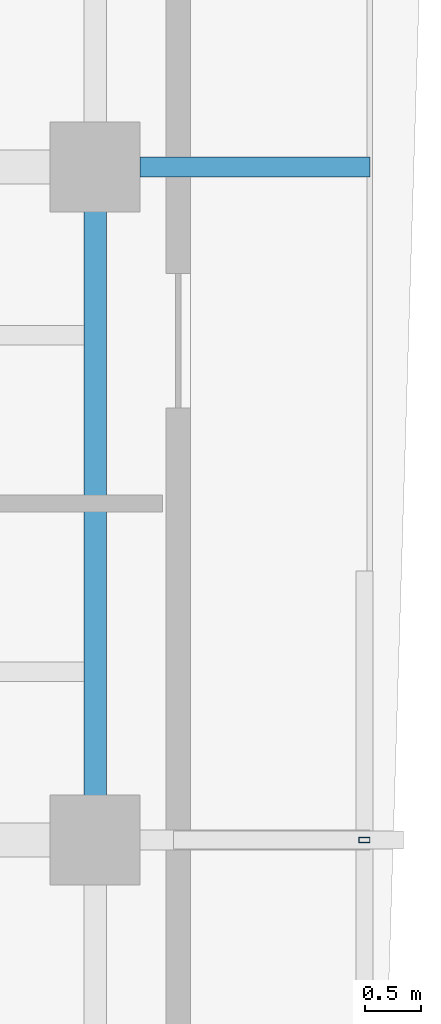
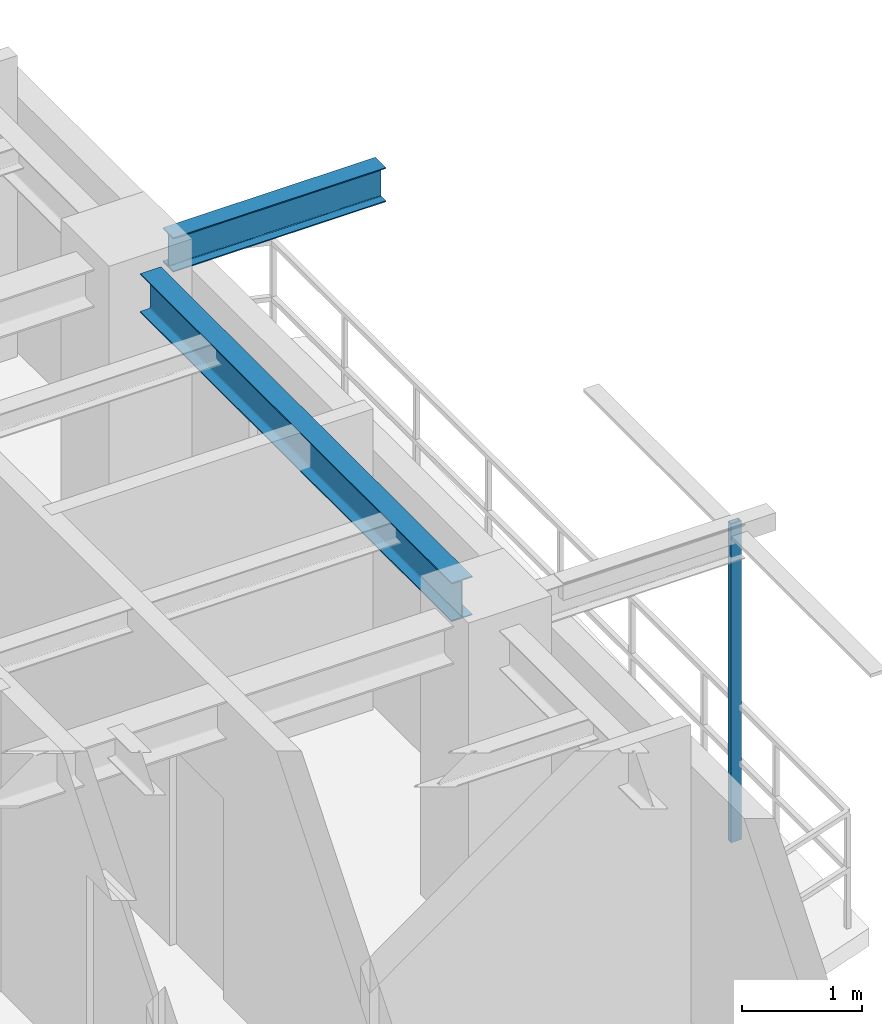
# One storey, part 7 of 16: 2 beams, 1 member.
"""IFC4 building model written with IfcOpenShell, lengths in metres."""

from ifc_helpers import new_model, si_unit, direction, frame, origin, origin_2d, place, context, subcontext, project, spatial, hollow_rectangle, i_section, extrude, source, transform, mapped, material, material_profile, profile_set, type_object, element, save


model = new_model("IFC4")

# Units and contexts
model_context = context("Model", 3, precision=1e-05, world=origin(), true_north=direction((0.0, 1.0)))
body_context = subcontext(model_context, "Body", "Model", "MODEL_VIEW")
ifc_project = project(units=[si_unit("LENGTHUNIT", "METRE"), si_unit("AREAUNIT", "SQUARE_METRE"), si_unit("VOLUMEUNIT", "CUBIC_METRE"), si_unit("PLANEANGLEUNIT", "RADIAN"), si_unit("MASSUNIT", "GRAM", prefix="KILO"), si_unit("THERMODYNAMICTEMPERATUREUNIT", "KELVIN"), si_unit("POWERUNIT", "WATT")], contexts=[model_context])

# Site, building, storey
site_placement = place(None, origin())
site = spatial("IfcSite", under=ifc_project, at=site_placement, CompositionType="ELEMENT")
building_placement = place(site_placement, origin())
building = spatial("IfcBuilding", under=site, at=building_placement, Name="Qiaomeng Ring Towers", CompositionType="ELEMENT")
storey_placement = place(building_placement, frame((0.0, 0.0, 210.0)))
storey = spatial("IfcBuildingStorey", under=building, at=storey_placement, Name="L61", CompositionType="ELEMENT", Elevation=210.0)

# Beams
ifc_material_1 = material(Name="Steel Q355B", Category="steel")
ifc_material_profile_1 = material_profile(ifc_material_1, i_section(OverallWidth=0.198974609375, OverallDepth=0.39599609375, WebThickness=0.007080078125, FlangeThickness=0.010986328125, FilletRadius=0.01611328125, at=origin_2d()), Name="HN 396x199x7x11")
ifc_profile_set_1 = profile_set([ifc_material_profile_1], Name="Steel Q355B")
beam_type_1 = type_object("IfcBeamType", Name="STR-BM-HN396", PredefinedType="SPANDREL", material=ifc_profile_set_1)
shared_shape_1 = source(origin(), body_context, "Body", "SweptSolid", [
    extrude(i_section(OverallWidth=0.198974609375, OverallDepth=0.39599609375, WebThickness=0.007080078125, FlangeThickness=0.010986328125, FilletRadius=0.01611328125, at=origin_2d()), origin(), (0.0, 0.0, 1.0), 5.2021484375),
])
beam_1_placement = place(storey_placement, frame((34.949951171875, 20.39892578125, 2.8720703125), z_axis=(0.0, 1.0, 0.0), x_axis=(-1.0, 0.0, 0.0)))
element("IfcBeam", 1, at=beam_1_placement, inside=storey, type_object=beam_type_1, Name="L61 beam STR-SP-L61-T1-E2-E3", PredefinedType="SPANDREL", context=body_context, shape_type="MappedRepresentation", body=[
    mapped(shared_shape_1, transform((0.0, 0.0, 0.0), x_axis=(1.0, 0.0, 0.0), y_axis=(0.0, 1.0, 0.0), z_axis=(0.0, 0.0, 1.0), scale=1.0)),
])
ifc_material_profile_2 = material_profile(ifc_material_1, i_section(OverallWidth=0.175048828125, OverallDepth=0.35009765625, WebThickness=0.007080078125, FlangeThickness=0.010986328125, FilletRadius=0.013916015625, at=origin_2d()), Name="HN 350x175x7x11")
ifc_profile_set_2 = profile_set([ifc_material_profile_2], Name="Steel Q355B")
beam_type_2 = type_object("IfcBeamType", Name="STR-BM-HN350", PredefinedType="JOIST", material=ifc_profile_set_2)
shared_shape_2 = source(origin(), body_context, "Body", "SweptSolid", [
    extrude(i_section(OverallWidth=0.175048828125, OverallDepth=0.35009765625, WebThickness=0.007080078125, FlangeThickness=0.010986328125, FilletRadius=0.013916015625, at=origin_2d()), origin(), (0.0, 0.0, 1.0), 2.05078125),
])
beam_2_placement = place(storey_placement, frame((35.34912109375, 26.0, 2.89501953125), z_axis=(1.0, 0.0, 0.0), x_axis=(0.0, 1.0, 0.0)))
element("IfcBeam", 2, at=beam_2_placement, inside=storey, type_object=beam_type_2, Name="L61 beam STR-BALBM-L61-E3", PredefinedType="JOIST", context=body_context, shape_type="MappedRepresentation", body=[
    mapped(shared_shape_2, transform((0.0, 0.0, 0.0), x_axis=(1.0, 0.0, 0.0), y_axis=(0.0, 1.0, 0.0), z_axis=(0.0, 0.0, 1.0), scale=1.0)),
])

# Member
ifc_material_2 = material(Name="Stainless steel 316", Category="steel")
ifc_material_profile_3 = material_profile(ifc_material_2, hollow_rectangle(XDim=0.050048828125, YDim=0.10009765625, WallThickness=0.00390625, at=origin_2d()), Name="SS TRELLIS 100x50")
ifc_profile_set_3 = profile_set([ifc_material_profile_3], Name="Stainless steel 316")
member_type = type_object("IfcMemberType", Name="ARC-TR-POST2", PredefinedType="STUD", material=ifc_profile_set_3)
shared_shape_3 = source(origin(), body_context, "Body", "SweptSolid", [
    extrude(hollow_rectangle(XDim=0.050048828125, YDim=0.10009765625, WallThickness=0.00390625, at=origin_2d()), origin(), (0.0, 0.0, 1.0), 3.25),
])
member_placement = place(storey_placement, frame((37.35009765625, 20.0, -0.179931640625), z_axis=(0.0, 0.0, 1.0), x_axis=(0.0, 1.0, 0.0)))
element("IfcMember", 3, at=member_placement, inside=storey, type_object=member_type, Name="L61 Outer Ventilated Trellis Post E", PredefinedType="STUD", context=body_context, shape_type="MappedRepresentation", body=[
    mapped(shared_shape_3, transform((0.0, 0.0, 0.0), x_axis=(1.0, 0.0, 0.0), y_axis=(0.0, 1.0, 0.0), z_axis=(0.0, 0.0, 1.0), scale=1.0)),
])

save(model, "model.ifc")
